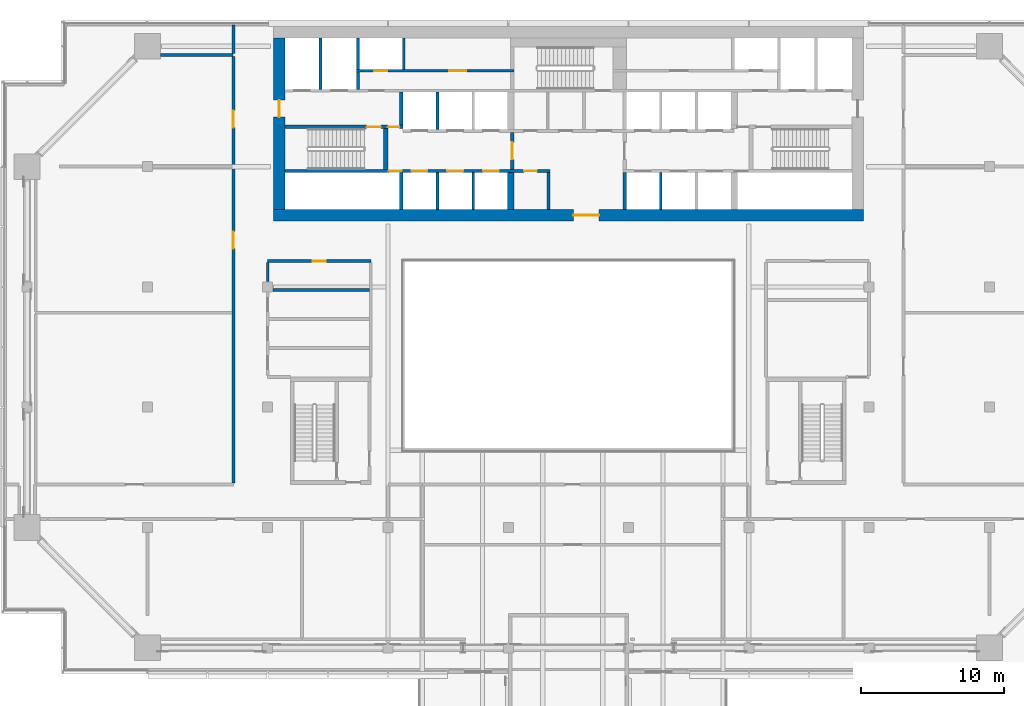
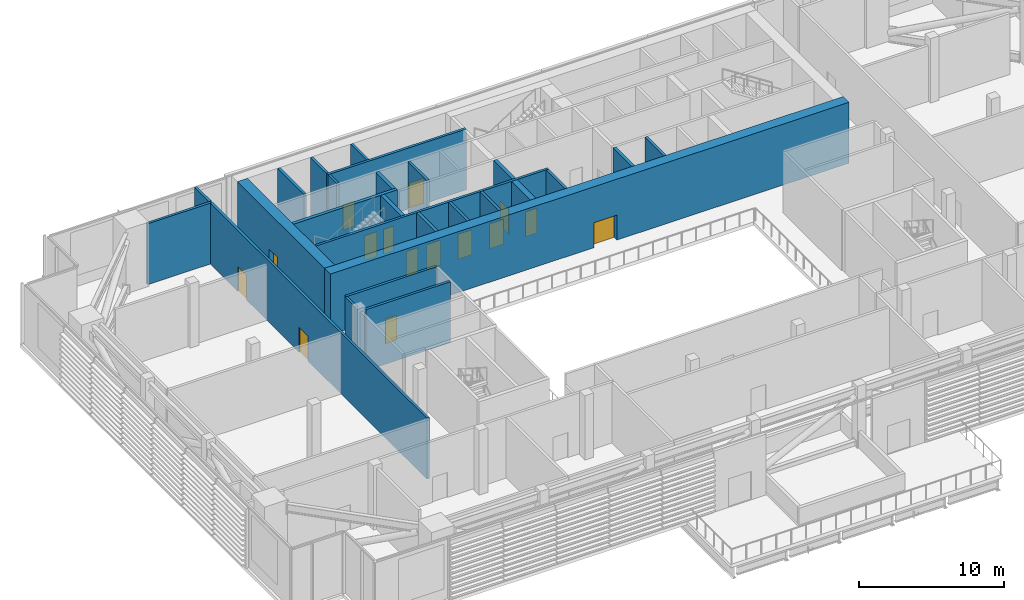
# One storey, part 14 of 29: 26 walls, 15 doors, 15 openings.
"""IFC4 building model written with IfcOpenShell, lengths in metres."""

from ifc_helpers import new_model, si_unit, direction, frame, frame_2d, origin, place, context, subcontext, project, spatial, rectangle, extrude, material, layer, layer_set, type_object, element, fill, save


model = new_model("IFC4")

# Units and contexts
model_context = context("Model", 3, precision=1e-05, world=origin(), true_north=direction((0.0, 1.0)))
body_context = subcontext(model_context, "Body", "Model", "MODEL_VIEW")
ifc_project = project(units=[si_unit("LENGTHUNIT", "METRE"), si_unit("AREAUNIT", "SQUARE_METRE"), si_unit("VOLUMEUNIT", "CUBIC_METRE"), si_unit("PLANEANGLEUNIT", "RADIAN"), si_unit("MASSUNIT", "GRAM", prefix="KILO")], contexts=[model_context])

# Site, building, storey
site_placement = place(None, origin())
site = spatial("IfcSite", under=ifc_project, at=site_placement, CompositionType="ELEMENT")
building_placement = place(site_placement, origin())
building = spatial("IfcBuilding", under=site, at=building_placement, Name="Saffron Gate Tower", CompositionType="ELEMENT")
storey_placement = place(building_placement, frame((0.0, 0.0, 142.050048828125)))
storey = spatial("IfcBuildingStorey", under=building, at=storey_placement, Name="L34", CompositionType="ELEMENT", Elevation=142.050048828125)

# Wall
ifc_material_1 = material(Name="Gypsum board partition on steel studs", Category="steel")
ifc_layer_1 = layer(ifc_material_1, 0.199951171875)
ifc_layer_set_1 = layer_set([ifc_layer_1], Name="CW10 Core partition 200")
wall_type_1 = type_object("IfcWallType", Name="CW10 Core partition 200", PredefinedType="PARTITIONING", material=ifc_layer_set_1)
wall_1_placement = place(storey_placement, frame((86.199951171875, 62.39990234375, 0.0), z_axis=(0.0, 0.0, 1.0), x_axis=(0.0, 1.0, 0.0)))
element("IfcWall", 1, at=wall_1_placement, inside=storey, type_object=wall_type_1, Name="Wall CW10-L34-9", PredefinedType="PARTITIONING", context=body_context, shape_type="SweptSolid", body=[
    extrude(rectangle(XDim=2.60009765625, YDim=0.199951171875, at=frame_2d((1.300048828125, 0.0))), origin(), (0.0, 0.0, 1.0), 5.119873046875),
])

# Wall, opening, door
ifc_material_2 = material(Name="Concrete C60", Category="concrete")
ifc_layer_2 = layer(ifc_material_2, 0.800048828125)
ifc_layer_set_2 = layer_set([ifc_layer_2], Name="CW13 RC core wall 800 C60")
wall_type_2 = type_object("IfcWallType", Name="CW13 RC core wall 800 C60", PredefinedType="SOLIDWALL", material=ifc_layer_set_2)
wall_2_placement = place(storey_placement, frame((67.0, 62.0, 0.0), z_axis=(0.0, 0.0, 1.0), x_axis=(1.0, 0.0, 0.0)))
wall_2 = element("IfcWall", 2, at=wall_2_placement, inside=storey, type_object=wall_type_2, Name="Wall CW13-L34-1", PredefinedType="SOLIDWALL", context=body_context, shape_type="SweptSolid", body=[
    extrude(rectangle(XDim=41.199951171875, YDim=0.800048828125, at=frame_2d((20.60009765625, 0.0))), origin(), (0.0, 0.0, 1.0), 5.119873046875),
])
opening_1_placement = place(wall_2_placement, frame((20.949951171875, 0.0, 0.0)))
opening_1 = element("IfcOpeningElement", 3, at=opening_1_placement, cuts=wall_2, Name="Opening CR-09", PredefinedType="OPENING", context=body_context, shape_type="SweptSolid", body=[
    extrude(rectangle(XDim=1.800048828125, YDim=2.10009765625, at=frame_2d((0.89990234375, 1.050048828125))), frame((0.0, 0.41015625, 0.0), z_axis=(0.0, -1.0, 0.0), x_axis=(1.0, 0.0, 0.0)), (0.0, 0.0, 1.0), 0.820068359375),
])
ifc_material_3 = material(Name="Steel fire door set", Category="steel")
door_type_1 = type_object("IfcDoorType", Name="CD1 Core entrance door 1800x2100 EI 120", OperationType="NOTDEFINED", PredefinedType="DOOR", material=ifc_material_3)
door_1_placement = place(opening_1_placement, origin())
door_1 = element("IfcDoor", 4, at=door_1_placement, inside=storey, type_object=door_type_1, Name="DOOR CR-09", OperationType="DOUBLE_DOOR_SINGLE_SWING", OverallHeight=2.10009765625, OverallWidth=1.800048828125, PredefinedType="DOOR", context=body_context, shape_type="SweptSolid", body=[
    extrude(rectangle(XDim=1.800048828125, YDim=2.10009765625, at=frame_2d((0.89990234375, 1.050048828125))), frame((0.0, 0.02490234375, 0.0), z_axis=(0.0, -1.0, 0.0), x_axis=(1.0, 0.0, 0.0)), (0.0, 0.0, 1.0), 0.050048828125),
])
fill(opening_1, door_1)

wall_3_placement = place(storey_placement, frame((67.39990234375, 62.39990234375, 0.0), z_axis=(0.0, 0.0, 1.0), x_axis=(0.0, 1.0, 0.0)))
wall_3 = element("IfcWall", 5, at=wall_3_placement, inside=storey, type_object=wall_type_2, Name="Wall CW13-L34-3", PredefinedType="SOLIDWALL", context=body_context, shape_type="SweptSolid", body=[
    extrude(rectangle(XDim=12.0, YDim=0.800048828125, at=frame_2d((6.0, 0.0))), origin(), (0.0, 0.0, 1.0), 5.119873046875),
])
opening_2_placement = place(wall_3_placement, frame((6.449951171875, 0.0, 0.0)))
opening_2 = element("IfcOpeningElement", 6, at=opening_2_placement, cuts=wall_3, Name="Opening CR-10", PredefinedType="OPENING", context=body_context, shape_type="SweptSolid", body=[
    extrude(rectangle(XDim=1.199951171875, YDim=2.10009765625, at=frame_2d((0.60009765625, 1.050048828125))), frame((0.0, 0.41015625, 0.0), z_axis=(0.0, -1.0, 0.0), x_axis=(1.0, 0.0, 0.0)), (0.0, 0.0, 1.0), 0.820068359375),
])
door_type_2 = type_object("IfcDoorType", Name="CD7 Core entrance door 1200x2100 EI 120", OperationType="NOTDEFINED", PredefinedType="DOOR", material=ifc_material_3)
door_2_placement = place(opening_2_placement, origin())
door_2 = element("IfcDoor", 7, at=door_2_placement, inside=storey, type_object=door_type_2, Name="DOOR CR-10", OperationType="SINGLE_SWING_LEFT", OverallHeight=2.10009765625, OverallWidth=1.199951171875, PredefinedType="DOOR", context=body_context, shape_type="SweptSolid", body=[
    extrude(rectangle(XDim=1.199951171875, YDim=2.10009765625, at=frame_2d((0.60009765625, 1.050048828125))), frame((0.0, 0.02490234375, 0.0), z_axis=(0.0, -1.0, 0.0), x_axis=(1.0, 0.0, 0.0)), (0.0, 0.0, 1.0), 0.050048828125),
])
fill(opening_2, door_2)

# Walls
ifc_layer_3 = layer(ifc_material_2, 0.25)
ifc_layer_set_3 = layer_set([ifc_layer_3], Name="CW14 RC core wall 250 C60")
wall_type_3 = type_object("IfcWallType", Name="CW14 RC core wall 250 C60", PredefinedType="SOLIDWALL", material=ifc_layer_set_3)
for number, where, z_axis, x_axis, name in (
    (8, (75.925048828125, 62.39990234375, 0.0), (0.0, 0.0, 1.0), (0.0, 1.0, 0.0), "Wall CW14-L34-5"),
    (9, (91.52490234375, 62.39990234375, 0.0), (0.0, 0.0, 1.0), (0.0, 1.0, 0.0), "Wall CW14-L34-10"),
):
    element("IfcWall", number, at=place(storey_placement, frame(where, z_axis=z_axis, x_axis=x_axis)), inside=storey, type_object=wall_type_3, Name=name, PredefinedType="SOLIDWALL", context=body_context, shape_type="SweptSolid", body=[
        extrude(rectangle(XDim=2.60009765625, YDim=0.25, at=frame_2d((1.300048828125, 0.0))), origin(), (0.0, 0.0, 1.0), 5.119873046875),
    ])

# Wall, opening, door
wall_4_placement = place(storey_placement, frame((83.675048828125, 65.199951171875, 0.0), z_axis=(0.0, 0.0, 1.0), x_axis=(0.0, 1.0, 0.0)))
wall_4 = element("IfcWall", 10, at=wall_4_placement, inside=storey, type_object=wall_type_3, Name="Wall CW14-L34-17", PredefinedType="SOLIDWALL", context=body_context, shape_type="SweptSolid", body=[
    extrude(rectangle(XDim=2.60009765625, YDim=0.25, at=frame_2d((1.300048828125, 0.0))), origin(), (0.0, 0.0, 1.0), 5.119873046875),
])
opening_3_placement = place(wall_4_placement, frame((0.699951171875, 0.0, 0.0)))
opening_3 = element("IfcOpeningElement", 11, at=opening_3_placement, cuts=wall_4, Name="Opening CR-07", PredefinedType="OPENING", context=body_context, shape_type="SweptSolid", body=[
    extrude(rectangle(XDim=1.199951171875, YDim=2.10009765625, at=frame_2d((0.60009765625, 1.050048828125))), frame((0.0, 0.135009765625, 0.0), z_axis=(0.0, -1.0, 0.0), x_axis=(1.0, 0.0, 0.0)), (0.0, 0.0, 1.0), 0.27001953125),
])
door_type_3 = type_object("IfcDoorType", Name="CD3 Lobby door 1200x2100 EI 120", OperationType="NOTDEFINED", PredefinedType="DOOR", material=ifc_material_3)
door_3_placement = place(opening_3_placement, origin())
door_3 = element("IfcDoor", 12, at=door_3_placement, inside=storey, type_object=door_type_3, Name="DOOR CR-07", OperationType="SINGLE_SWING_RIGHT", OverallHeight=2.10009765625, OverallWidth=1.199951171875, PredefinedType="DOOR", context=body_context, shape_type="SweptSolid", body=[
    extrude(rectangle(XDim=1.199951171875, YDim=2.10009765625, at=frame_2d((0.60009765625, 1.050048828125))), frame((0.0, 0.02490234375, 0.0), z_axis=(0.0, -1.0, 0.0), x_axis=(1.0, 0.0, 0.0)), (0.0, 0.0, 1.0), 0.050048828125),
])
fill(opening_3, door_3)

# Wall, openings, doors
wall_5_placement = place(storey_placement, frame((67.800048828125, 68.175048828125, 0.0), z_axis=(0.0, 0.0, 1.0), x_axis=(1.0, 0.0, 0.0)))
wall_5 = element("IfcWall", 13, at=wall_5_placement, inside=storey, type_object=wall_type_3, Name="Wall CW14-L34-30", PredefinedType="SOLIDWALL", context=body_context, shape_type="SweptSolid", body=[
    extrude(rectangle(XDim=8.25, YDim=0.25, at=frame_2d((4.125, 0.0))), origin(), (0.0, 0.0, 1.0), 5.119873046875),
])
opening_4_placement = place(wall_5_placement, frame((5.699951171875, 0.0, 0.0)))
opening_4 = element("IfcOpeningElement", 14, at=opening_4_placement, cuts=wall_5, Name="Opening CR-15", PredefinedType="OPENING", context=body_context, shape_type="SweptSolid", body=[
    extrude(rectangle(XDim=1.0, YDim=2.10009765625, at=frame_2d((0.5, 1.050048828125))), frame((0.0, 0.135009765625, 0.0), z_axis=(0.0, -1.0, 0.0), x_axis=(1.0, 0.0, 0.0)), (0.0, 0.0, 1.0), 0.27001953125),
])
opening_5_placement = place(wall_5_placement, frame((7.199951171875, 0.0, 0.0)))
opening_5 = element("IfcOpeningElement", 15, at=opening_5_placement, cuts=wall_5, Name="Opening CR-06", PredefinedType="OPENING", context=body_context, shape_type="SweptSolid", body=[
    extrude(rectangle(XDim=0.800048828125, YDim=2.10009765625, at=frame_2d((0.39990234375, 1.050048828125))), frame((0.0, 0.135009765625, 0.0), z_axis=(0.0, -1.0, 0.0), x_axis=(1.0, 0.0, 0.0)), (0.0, 0.0, 1.0), 0.27001953125),
])
door_type_4 = type_object("IfcDoorType", Name="CD5 Stair door 1000x2100 EI 120", OperationType="NOTDEFINED", PredefinedType="DOOR", material=ifc_material_3)
door_4_placement = place(opening_4_placement, origin())
door_4 = element("IfcDoor", 16, at=door_4_placement, inside=storey, type_object=door_type_4, Name="DOOR CR-15", OperationType="SINGLE_SWING_RIGHT", OverallHeight=2.10009765625, OverallWidth=1.0, PredefinedType="DOOR", context=body_context, shape_type="SweptSolid", body=[
    extrude(rectangle(XDim=1.0, YDim=2.10009765625, at=frame_2d((0.5, 1.050048828125))), frame((0.0, 0.02490234375, 0.0), z_axis=(0.0, -1.0, 0.0), x_axis=(1.0, 0.0, 0.0)), (0.0, 0.0, 1.0), 0.050048828125),
])
fill(opening_4, door_4)
door_type_5 = type_object("IfcDoorType", Name="CD6 Lobby door 800x2100 EI 120", OperationType="NOTDEFINED", PredefinedType="DOOR", material=ifc_material_3)
door_5_placement = place(opening_5_placement, origin())
door_5 = element("IfcDoor", 17, at=door_5_placement, inside=storey, type_object=door_type_5, Name="DOOR CR-06", OperationType="SINGLE_SWING_LEFT", OverallHeight=2.10009765625, OverallWidth=0.800048828125, PredefinedType="DOOR", context=body_context, shape_type="SweptSolid", body=[
    extrude(rectangle(XDim=0.800048828125, YDim=2.10009765625, at=frame_2d((0.39990234375, 1.050048828125))), frame((0.0, 0.02490234375, 0.0), z_axis=(0.0, -1.0, 0.0), x_axis=(1.0, 0.0, 0.0)), (0.0, 0.0, 1.0), 0.050048828125),
])
fill(opening_5, door_5)

# Walls
wall_6_placement = place(storey_placement, frame((75.925048828125, 68.300048828125, 0.0), z_axis=(0.0, 0.0, 1.0), x_axis=(0.0, 1.0, 0.0)))
element("IfcWall", 18, at=wall_6_placement, inside=storey, type_object=wall_type_3, Name="Wall CW14-L34-32", PredefinedType="SOLIDWALL", context=body_context, shape_type="SweptSolid", body=[
    extrude(rectangle(XDim=2.300048828125, YDim=0.25, at=frame_2d((1.14990234375, 0.0))), origin(), (0.0, 0.0, 1.0), 5.119873046875),
])
ifc_layer_4 = layer(ifc_material_2, 0.199951171875)
ifc_layer_set_4 = layer_set([ifc_layer_4], Name="CW15 RC core wall 200 C60")
wall_type_4 = type_object("IfcWallType", Name="CW15 RC core wall 200 C60", PredefinedType="SOLIDWALL", material=ifc_layer_set_4)
for number, where, z_axis, x_axis, name in (
    (19, (78.449951171875, 62.39990234375, 0.0), (0.0, 0.0, 1.0), (0.0, 1.0, 0.0), "Wall CW15-L34-6"),
    (20, (80.949951171875, 62.39990234375, 0.0), (0.0, 0.0, 1.0), (0.0, 1.0, 0.0), "Wall CW15-L34-7"),
    (21, (94.050048828125, 62.39990234375, 0.0), (0.0, 0.0, 1.0), (0.0, 1.0, 0.0), "Wall CW15-L34-11"),
):
    element("IfcWall", number, at=place(storey_placement, frame(where, z_axis=z_axis, x_axis=x_axis)), inside=storey, type_object=wall_type_4, Name=name, PredefinedType="SOLIDWALL", context=body_context, shape_type="SweptSolid", body=[
        extrude(rectangle(XDim=2.60009765625, YDim=0.199951171875, at=frame_2d((1.300048828125, 0.0))), origin(), (0.0, 0.0, 1.0), 5.119873046875),
    ])

# Wall, openings, doors
wall_7_placement = place(storey_placement, frame((67.800048828125, 65.10009765625, 0.0), z_axis=(0.0, 0.0, 1.0), x_axis=(1.0, 0.0, 0.0)))
wall_7 = element("IfcWall", 22, at=wall_7_placement, inside=storey, type_object=wall_type_4, Name="Wall CW15-L34-14", PredefinedType="SOLIDWALL", context=body_context, shape_type="SweptSolid", body=[
    extrude(rectangle(XDim=18.5, YDim=0.199951171875, at=frame_2d((9.25, 0.0))), origin(), (0.0, 0.0, 1.0), 5.119873046875),
])
opening_6_placement = place(wall_7_placement, frame((7.27001953125, 0.0, 0.0)))
opening_6 = element("IfcOpeningElement", 23, at=opening_6_placement, cuts=wall_7, Name="Opening CR-49", PredefinedType="OPENING", context=body_context, shape_type="SweptSolid", body=[
    extrude(rectangle(XDim=0.89990234375, YDim=2.10009765625, at=frame_2d((0.449951171875, 1.050048828125))), frame((0.0, 0.10986328125, 0.0), z_axis=(0.0, -1.0, 0.0), x_axis=(1.0, 0.0, 0.0)), (0.0, 0.0, 1.0), 0.219970703125),
])
opening_7_placement = place(wall_7_placement, frame((8.85009765625, 0.0, 0.0)))
opening_7 = element("IfcOpeningElement", 24, at=opening_7_placement, cuts=wall_7, Name="Opening LD-LR1", PredefinedType="OPENING", context=body_context, shape_type="SweptSolid", body=[
    extrude(rectangle(XDim=1.10009765625, YDim=2.10009765625, at=frame_2d((0.550048828125, 1.050048828125))), frame((0.0, 0.10986328125, 0.0), z_axis=(0.0, -1.0, 0.0), x_axis=(1.0, 0.0, 0.0)), (0.0, 0.0, 1.0), 0.219970703125),
])
opening_8_placement = place(wall_7_placement, frame((11.35009765625, 0.0, 0.0)))
opening_8 = element("IfcOpeningElement", 25, at=opening_8_placement, cuts=wall_7, Name="Opening LD-LR2", PredefinedType="OPENING", context=body_context, shape_type="SweptSolid", body=[
    extrude(rectangle(XDim=1.10009765625, YDim=2.10009765625, at=frame_2d((0.550048828125, 1.050048828125))), frame((0.0, 0.10986328125, 0.0), z_axis=(0.0, -1.0, 0.0), x_axis=(1.0, 0.0, 0.0)), (0.0, 0.0, 1.0), 0.219970703125),
])
opening_9_placement = place(wall_7_placement, frame((13.85009765625, 0.0, 0.0)))
opening_9 = element("IfcOpeningElement", 26, at=opening_9_placement, cuts=wall_7, Name="Opening LD-LR3", PredefinedType="OPENING", context=body_context, shape_type="SweptSolid", body=[
    extrude(rectangle(XDim=1.10009765625, YDim=2.10009765625, at=frame_2d((0.550048828125, 1.050048828125))), frame((0.0, 0.10986328125, 0.0), z_axis=(0.0, -1.0, 0.0), x_axis=(1.0, 0.0, 0.0)), (0.0, 0.0, 1.0), 0.219970703125),
])
opening_10_placement = place(wall_7_placement, frame((16.699951171875, 0.0, 0.0)))
opening_10 = element("IfcOpeningElement", 27, at=opening_10_placement, cuts=wall_7, Name="Opening CR-69", PredefinedType="OPENING", context=body_context, shape_type="SweptSolid", body=[
    extrude(rectangle(XDim=0.89990234375, YDim=2.10009765625, at=frame_2d((0.449951171875, 1.050048828125))), frame((0.0, 0.10986328125, 0.0), z_axis=(0.0, -1.0, 0.0), x_axis=(1.0, 0.0, 0.0)), (0.0, 0.0, 1.0), 0.219970703125),
])
door_type_6 = type_object("IfcDoorType", Name="CD2 Riser door 900x2100 EI 60", OperationType="NOTDEFINED", PredefinedType="DOOR", material=ifc_material_3)
door_6_placement = place(opening_6_placement, origin())
door_6 = element("IfcDoor", 28, at=door_6_placement, inside=storey, type_object=door_type_6, Name="DOOR CR-49", OperationType="SINGLE_SWING_LEFT", OverallHeight=2.10009765625, OverallWidth=0.89990234375, PredefinedType="DOOR", context=body_context, shape_type="SweptSolid", body=[
    extrude(rectangle(XDim=0.89990234375, YDim=2.10009765625, at=frame_2d((0.449951171875, 1.050048828125))), frame((0.0, 0.02490234375, 0.0), z_axis=(0.0, -1.0, 0.0), x_axis=(1.0, 0.0, 0.0)), (0.0, 0.0, 1.0), 0.050048828125),
])
fill(opening_6, door_6)
door_type_7 = type_object("IfcDoorType", Name="CD9 Room door 900x2100 EI 60", OperationType="NOTDEFINED", PredefinedType="DOOR", material=ifc_material_3)
door_7_placement = place(opening_10_placement, origin())
door_7 = element("IfcDoor", 29, at=door_7_placement, inside=storey, type_object=door_type_7, Name="DOOR CR-69", OperationType="SINGLE_SWING_RIGHT", OverallHeight=2.10009765625, OverallWidth=0.89990234375, PredefinedType="DOOR", context=body_context, shape_type="SweptSolid", body=[
    extrude(rectangle(XDim=0.89990234375, YDim=2.10009765625, at=frame_2d((0.449951171875, 1.050048828125))), frame((0.0, 0.02490234375, 0.0), z_axis=(0.0, -1.0, 0.0), x_axis=(1.0, 0.0, 0.0)), (0.0, 0.0, 1.0), 0.050048828125),
])
fill(opening_10, door_7)
ifc_material_4 = material(Name="Stainless steel landing door", Category="steel")
door_type_8 = type_object("IfcDoorType", Name="LD Lift landing door 1100x2100 EI 120", OperationType="SLIDING_TO_LEFT", PredefinedType="DOOR", material=ifc_material_4)
door_8_placement = place(opening_7_placement, origin())
door_8 = element("IfcDoor", 30, at=door_8_placement, inside=storey, type_object=door_type_8, Name="LANDING DOOR LD-LR1", OperationType="SLIDING_TO_LEFT", OverallHeight=2.10009765625, OverallWidth=1.10009765625, PredefinedType="DOOR", context=body_context, shape_type="SweptSolid", body=[
    extrude(rectangle(XDim=1.10009765625, YDim=2.10009765625, at=frame_2d((0.550048828125, 1.050048828125))), frame((0.0, 0.02490234375, 0.0), z_axis=(0.0, -1.0, 0.0), x_axis=(1.0, 0.0, 0.0)), (0.0, 0.0, 1.0), 0.050048828125),
])
fill(opening_7, door_8)
door_9_placement = place(opening_8_placement, origin())
door_9 = element("IfcDoor", 31, at=door_9_placement, inside=storey, type_object=door_type_8, Name="LANDING DOOR LD-LR2", OperationType="SLIDING_TO_LEFT", OverallHeight=2.10009765625, OverallWidth=1.10009765625, PredefinedType="DOOR", context=body_context, shape_type="SweptSolid", body=[
    extrude(rectangle(XDim=1.10009765625, YDim=2.10009765625, at=frame_2d((0.550048828125, 1.050048828125))), frame((0.0, 0.02490234375, 0.0), z_axis=(0.0, -1.0, 0.0), x_axis=(1.0, 0.0, 0.0)), (0.0, 0.0, 1.0), 0.050048828125),
])
fill(opening_8, door_9)
door_10_placement = place(opening_9_placement, origin())
door_10 = element("IfcDoor", 32, at=door_10_placement, inside=storey, type_object=door_type_8, Name="LANDING DOOR LD-LR3", OperationType="SLIDING_TO_LEFT", OverallHeight=2.10009765625, OverallWidth=1.10009765625, PredefinedType="DOOR", context=body_context, shape_type="SweptSolid", body=[
    extrude(rectangle(XDim=1.10009765625, YDim=2.10009765625, at=frame_2d((0.550048828125, 1.050048828125))), frame((0.0, 0.02490234375, 0.0), z_axis=(0.0, -1.0, 0.0), x_axis=(1.0, 0.0, 0.0)), (0.0, 0.0, 1.0), 0.050048828125),
])
fill(opening_9, door_10)

# Walls
wall_8_placement = place(storey_placement, frame((78.449951171875, 68.0, 0.0), z_axis=(0.0, 0.0, 1.0), x_axis=(0.0, 1.0, 0.0)))
element("IfcWall", 33, at=wall_8_placement, inside=storey, type_object=wall_type_4, Name="Wall CW15-L34-21", PredefinedType="SOLIDWALL", context=body_context, shape_type="SweptSolid", body=[
    extrude(rectangle(XDim=2.60009765625, YDim=0.199951171875, at=frame_2d((1.300048828125, 0.0))), origin(), (0.0, 0.0, 1.0), 5.119873046875),
])
wall_9_placement = place(storey_placement, frame((70.300048828125, 70.800048828125, 0.0), z_axis=(0.0, 0.0, 1.0), x_axis=(0.0, 1.0, 0.0)))
element("IfcWall", 34, at=wall_9_placement, inside=storey, type_object=wall_type_4, Name="Wall CW15-L34-35", PredefinedType="SOLIDWALL", context=body_context, shape_type="SweptSolid", body=[
    extrude(rectangle(XDim=3.599853515625, YDim=0.199951171875, at=frame_2d((1.7998046875, 0.0))), origin(), (0.0, 0.0, 1.0), 5.119873046875),
])
wall_10_placement = place(storey_placement, frame((72.89990234375, 70.800048828125, 0.0), z_axis=(0.0, 0.0, 1.0), x_axis=(0.0, 1.0, 0.0)))
element("IfcWall", 35, at=wall_10_placement, inside=storey, type_object=wall_type_4, Name="Wall CW15-L34-36", PredefinedType="SOLIDWALL", context=body_context, shape_type="SweptSolid", body=[
    extrude(rectangle(XDim=1.199951171875, YDim=0.199951171875, at=frame_2d((0.60009765625, 0.0))), origin(), (0.0, 0.0, 1.0), 5.119873046875),
])

# Wall, openings, doors
wall_11_placement = place(storey_placement, frame((72.800048828125, 72.10009765625, 0.0), z_axis=(0.0, 0.0, 1.0), x_axis=(1.0, 0.0, 0.0)))
wall_11 = element("IfcWall", 36, at=wall_11_placement, inside=storey, type_object=wall_type_4, Name="Wall CW15-L34-41", PredefinedType="SOLIDWALL", context=body_context, shape_type="SweptSolid", body=[
    extrude(rectangle(XDim=11.0, YDim=0.199951171875, at=frame_2d((5.5, 0.0))), origin(), (0.0, 0.0, 1.0), 5.119873046875),
])
opening_11_placement = place(wall_11_placement, frame((1.25, 0.0, 0.0)))
opening_11 = element("IfcOpeningElement", 37, at=opening_11_placement, cuts=wall_11, Name="Opening CR-71", PredefinedType="OPENING", context=body_context, shape_type="SweptSolid", body=[
    extrude(rectangle(XDim=0.89990234375, YDim=2.10009765625, at=frame_2d((0.449951171875, 1.050048828125))), frame((0.0, 0.10986328125, 0.0), z_axis=(0.0, -1.0, 0.0), x_axis=(1.0, 0.0, 0.0)), (0.0, 0.0, 1.0), 0.219970703125),
])
opening_12_placement = place(wall_11_placement, frame((6.47509765625, 0.0, 0.0)))
opening_12 = element("IfcOpeningElement", 38, at=opening_12_placement, cuts=wall_11, Name="Opening CR-57", PredefinedType="OPENING", context=body_context, shape_type="SweptSolid", body=[
    extrude(rectangle(XDim=1.199951171875, YDim=2.10009765625, at=frame_2d((0.60009765625, 1.050048828125))), frame((0.0, 0.10986328125, 0.0), z_axis=(0.0, -1.0, 0.0), x_axis=(1.0, 0.0, 0.0)), (0.0, 0.0, 1.0), 0.219970703125),
])
door_type_9 = type_object("IfcDoorType", Name="CD10 Room door 1200x2100 EI 60", OperationType="NOTDEFINED", PredefinedType="DOOR", material=ifc_material_3)
door_11_placement = place(opening_12_placement, origin())
door_11 = element("IfcDoor", 39, at=door_11_placement, inside=storey, type_object=door_type_9, Name="DOOR CR-57", OperationType="SINGLE_SWING_LEFT", OverallHeight=2.10009765625, OverallWidth=1.199951171875, PredefinedType="DOOR", context=body_context, shape_type="SweptSolid", body=[
    extrude(rectangle(XDim=1.199951171875, YDim=2.10009765625, at=frame_2d((0.60009765625, 1.050048828125))), frame((0.0, 0.02490234375, 0.0), z_axis=(0.0, -1.0, 0.0), x_axis=(1.0, 0.0, 0.0)), (0.0, 0.0, 1.0), 0.050048828125),
])
fill(opening_12, door_11)
door_12_placement = place(opening_11_placement, origin())
door_12 = element("IfcDoor", 40, at=door_12_placement, inside=storey, type_object=door_type_6, Name="DOOR CR-71", OperationType="SINGLE_SWING_LEFT", OverallHeight=2.10009765625, OverallWidth=0.89990234375, PredefinedType="DOOR", context=body_context, shape_type="SweptSolid", body=[
    extrude(rectangle(XDim=0.89990234375, YDim=2.10009765625, at=frame_2d((0.449951171875, 1.050048828125))), frame((0.0, 0.02490234375, 0.0), z_axis=(0.0, -1.0, 0.0), x_axis=(1.0, 0.0, 0.0)), (0.0, 0.0, 1.0), 0.050048828125),
])
fill(opening_11, door_12)

# Walls
for number, where, z_axis, x_axis, name in (
    (41, (72.89990234375, 72.199951171875, 0.0), (0.0, 0.0, 1.0), (0.0, 1.0, 0.0), "Wall CW15-L34-43"),
    (42, (76.10009765625, 72.199951171875, 0.0), (0.0, 0.0, 1.0), (0.0, 1.0, 0.0), "Wall CW15-L34-44"),
):
    element("IfcWall", number, at=place(storey_placement, frame(where, z_axis=z_axis, x_axis=x_axis)), inside=storey, type_object=wall_type_4, Name=name, PredefinedType="SOLIDWALL", context=body_context, shape_type="SweptSolid", body=[
        extrude(rectangle(XDim=2.199951171875, YDim=0.199951171875, at=frame_2d((1.10009765625, 0.0))), origin(), (0.0, 0.0, 1.0), 5.119873046875),
    ])
ifc_layer_5 = layer(ifc_material_2, 0.449951171875)
ifc_layer_set_5 = layer_set([ifc_layer_5], Name="CW16 RC core wall 450 C60")
wall_type_5 = type_object("IfcWallType", Name="CW16 RC core wall 450 C60", PredefinedType="SOLIDWALL", material=ifc_layer_set_5)
wall_12_placement = place(storey_placement, frame((83.574951171875, 62.39990234375, 0.0), z_axis=(0.0, 0.0, 1.0), x_axis=(0.0, 1.0, 0.0)))
element("IfcWall", 43, at=wall_12_placement, inside=storey, type_object=wall_type_5, Name="Wall CW16-L34-8", PredefinedType="SOLIDWALL", context=body_context, shape_type="SweptSolid", body=[
    extrude(rectangle(XDim=2.60009765625, YDim=0.449951171875, at=frame_2d((1.300048828125, 0.0))), origin(), (0.0, 0.0, 1.0), 5.119873046875),
])
ifc_layer_6 = layer(ifc_material_2, 0.300048828125)
ifc_layer_set_6 = layer_set([ifc_layer_6], Name="CW17 RC core wall 300 C60")
wall_type_6 = type_object("IfcWallType", Name="CW17 RC core wall 300 C60", PredefinedType="SOLIDWALL", material=ifc_layer_set_6)
wall_13_placement = place(storey_placement, frame((74.85009765625, 65.199951171875, 0.0), z_axis=(0.0, 0.0, 1.0), x_axis=(0.0, 1.0, 0.0)))
element("IfcWall", 44, at=wall_13_placement, inside=storey, type_object=wall_type_6, Name="Wall CW17-L34-16", PredefinedType="SOLIDWALL", context=body_context, shape_type="SweptSolid", body=[
    extrude(rectangle(XDim=2.85009765625, YDim=0.300048828125, at=frame_2d((1.425048828125, 0.0))), origin(), (0.0, 0.0, 1.0), 5.119873046875),
])
ifc_material_5 = material(Name="Clay brick masonry, rendered", Category="masonry")
ifc_layer_7 = layer(ifc_material_5, 0.199951171875)
ifc_layer_set_7 = layer_set([ifc_layer_7], Name="PW2 Demising wall 200")
wall_type_7 = type_object("IfcWallType", Name="PW2 Demising wall 200", PredefinedType="PARTITIONING", material=ifc_layer_set_7)
wall_14_placement = place(storey_placement, frame((66.969970703125, 56.77490234375, 0.0), z_axis=(0.0, 0.0, 1.0), x_axis=(1.0, 0.0, 0.0)))
element("IfcWall", 45, at=wall_14_placement, inside=storey, type_object=wall_type_7, Name="Wall SL-31", PredefinedType="PARTITIONING", context=body_context, shape_type="SweptSolid", body=[
    extrude(rectangle(XDim=6.72998046875, YDim=0.199951171875, at=frame_2d((3.364990234375, 0.0))), origin(), (0.0, 0.0, 1.0), 5.119873046875),
])

# Wall, opening, door
ifc_layer_8 = layer(ifc_material_5, 0.199951171875)
ifc_layer_set_8 = layer_set([ifc_layer_8], Name="PW3 Corridor wall 200")
wall_type_8 = type_object("IfcWallType", Name="PW3 Corridor wall 200", PredefinedType="PARTITIONING", material=ifc_layer_set_8)
wall_15_placement = place(storey_placement, frame((73.800048828125, 58.800048828125, 0.0), z_axis=(0.0, 0.0, 1.0), x_axis=(-1.0, 0.0, 0.0)))
wall_15 = element("IfcWall", 46, at=wall_15_placement, inside=storey, type_object=wall_type_8, Name="Wall SL-32", PredefinedType="PARTITIONING", context=body_context, shape_type="SweptSolid", body=[
    extrude(rectangle(XDim=7.199951171875, YDim=0.199951171875, at=frame_2d((3.60009765625, 0.0))), origin(), (0.0, 0.0, 1.0), 5.119873046875),
])
opening_13_placement = place(wall_15_placement, frame((3.14990234375, 0.0, 0.0)))
opening_13 = element("IfcOpeningElement", 47, at=opening_13_placement, cuts=wall_15, Name="Opening SL-6", PredefinedType="OPENING", context=body_context, shape_type="SweptSolid", body=[
    extrude(rectangle(XDim=0.89990234375, YDim=2.10009765625, at=frame_2d((0.449951171875, 1.050048828125))), frame((0.0, 0.10986328125, 0.0), z_axis=(0.0, -1.0, 0.0), x_axis=(1.0, 0.0, 0.0)), (0.0, 0.0, 1.0), 0.219970703125),
])
ifc_material_6 = material(Name="Timber door set", Category="wood")
door_type_10 = type_object("IfcDoorType", Name="RD1 Room door 900x2100", OperationType="NOTDEFINED", PredefinedType="DOOR", material=ifc_material_6)
door_13_placement = place(opening_13_placement, origin())
door_13 = element("IfcDoor", 48, at=door_13_placement, inside=storey, type_object=door_type_10, Name="Door SL-6", OperationType="SINGLE_SWING_LEFT", OverallHeight=2.10009765625, OverallWidth=0.89990234375, PredefinedType="DOOR", context=body_context, shape_type="SweptSolid", body=[
    extrude(rectangle(XDim=0.89990234375, YDim=2.10009765625, at=frame_2d((0.449951171875, 1.050048828125))), frame((0.0, 0.02490234375, 0.0), z_axis=(0.0, -1.0, 0.0), x_axis=(1.0, 0.0, 0.0)), (0.0, 0.0, 1.0), 0.050048828125),
])
fill(opening_13, door_13)

# Wall, openings, doors
wall_16_placement = place(storey_placement, frame((64.199951171875, 43.300048828125, 0.0), z_axis=(0.0, 0.0, 1.0), x_axis=(0.0, 1.0, 0.0)))
wall_16 = element("IfcWall", 49, at=wall_16_placement, inside=storey, type_object=wall_type_8, Name="Wall SL-45", PredefinedType="PARTITIONING", context=body_context, shape_type="SweptSolid", body=[
    extrude(rectangle(XDim=29.800048828125, YDim=0.199951171875, at=frame_2d((14.89990234375, 0.0))), origin(), (0.0, 0.0, 1.0), 5.119873046875),
])
opening_14_placement = place(wall_16_placement, frame((16.37060546875, 0.0, 0.0)))
opening_14 = element("IfcOpeningElement", 50, at=opening_14_placement, cuts=wall_16, Name="Opening SL-18", PredefinedType="OPENING", context=body_context, shape_type="SweptSolid", body=[
    extrude(rectangle(XDim=1.199951171875, YDim=2.10009765625, at=frame_2d((0.60009765625, 1.050048828125))), frame((0.0, 0.10986328125, 0.0), z_axis=(0.0, -1.0, 0.0), x_axis=(1.0, 0.0, 0.0)), (0.0, 0.0, 1.0), 0.219970703125),
])
opening_15_placement = place(wall_16_placement, frame((24.81787109375, 0.0, 0.0)))
opening_15 = element("IfcOpeningElement", 51, at=opening_15_placement, cuts=wall_16, Name="Opening SL-19", PredefinedType="OPENING", context=body_context, shape_type="SweptSolid", body=[
    extrude(rectangle(XDim=1.199951171875, YDim=2.10009765625, at=frame_2d((0.60009765625, 1.050048828125))), frame((0.0, 0.10986328125, 0.0), z_axis=(0.0, -1.0, 0.0), x_axis=(1.0, 0.0, 0.0)), (0.0, 0.0, 1.0), 0.219970703125),
])
door_type_11 = type_object("IfcDoorType", Name="HD1 Hall door 1200x2100", OperationType="NOTDEFINED", PredefinedType="DOOR", material=ifc_material_6)
door_14_placement = place(opening_14_placement, origin())
door_14 = element("IfcDoor", 52, at=door_14_placement, inside=storey, type_object=door_type_11, Name="Door SL-18", OperationType="SINGLE_SWING_LEFT", OverallHeight=2.10009765625, OverallWidth=1.199951171875, PredefinedType="DOOR", context=body_context, shape_type="SweptSolid", body=[
    extrude(rectangle(XDim=1.199951171875, YDim=2.10009765625, at=frame_2d((0.60009765625, 1.050048828125))), frame((0.0, 0.02490234375, 0.0), z_axis=(0.0, -1.0, 0.0), x_axis=(1.0, 0.0, 0.0)), (0.0, 0.0, 1.0), 0.050048828125),
])
fill(opening_14, door_14)
door_15_placement = place(opening_15_placement, origin())
door_15 = element("IfcDoor", 53, at=door_15_placement, inside=storey, type_object=door_type_11, Name="Door SL-19", OperationType="SINGLE_SWING_LEFT", OverallHeight=2.10009765625, OverallWidth=1.199951171875, PredefinedType="DOOR", context=body_context, shape_type="SweptSolid", body=[
    extrude(rectangle(XDim=1.199951171875, YDim=2.10009765625, at=frame_2d((0.60009765625, 1.050048828125))), frame((0.0, 0.02490234375, 0.0), z_axis=(0.0, -1.0, 0.0), x_axis=(1.0, 0.0, 0.0)), (0.0, 0.0, 1.0), 0.050048828125),
])
fill(opening_15, door_15)

# Walls
wall_17_placement = place(storey_placement, frame((66.60009765625, 58.699951171875, 0.0), z_axis=(0.0, 0.0, 1.0), x_axis=(0.0, -1.0, 0.0)))
element("IfcWall", 54, at=wall_17_placement, inside=storey, type_object=wall_type_8, Name="Wall SL-48", PredefinedType="PARTITIONING", context=body_context, shape_type="SweptSolid", body=[
    extrude(rectangle(XDim=1.329833984375, YDim=0.199951171875, at=frame_2d((0.6650390625, 0.0))), origin(), (0.0, 0.0, 1.0), 5.119873046875),
])
ifc_layer_9 = layer(ifc_material_5, 0.199951171875)
ifc_layer_set_9 = layer_set([ifc_layer_9], Name="PW5 Room wall 200")
wall_type_9 = type_object("IfcWallType", Name="PW5 Room wall 200", PredefinedType="PARTITIONING", material=ifc_layer_set_9)
wall_18_placement = place(storey_placement, frame((59.1201171875, 73.199951171875, 0.0), z_axis=(0.0, 0.0, 1.0), x_axis=(1.0, 0.0, 0.0)))
element("IfcWall", 55, at=wall_18_placement, inside=storey, type_object=wall_type_9, Name="Wall SL-38", PredefinedType="PARTITIONING", context=body_context, shape_type="SweptSolid", body=[
    extrude(rectangle(XDim=5.059814453125, YDim=0.199951171875, at=frame_2d((2.52978515625, 0.0))), origin(), (0.0, 0.0, 1.0), 5.119873046875),
])
wall_19_placement = place(storey_placement, frame((64.199951171875, 75.300048828125, 0.0), z_axis=(0.0, 0.0, 1.0), x_axis=(0.0, -1.0, 0.0)))
element("IfcWall", 56, at=wall_19_placement, inside=storey, type_object=wall_type_9, Name="Wall SL-46", PredefinedType="PARTITIONING", context=body_context, shape_type="SweptSolid", body=[
    extrude(rectangle(XDim=2.0, YDim=0.199951171875, at=frame_2d((1.0, 0.0))), origin(), (0.0, 0.0, 1.0), 5.119873046875),
])

save(model, "model.ifc")
